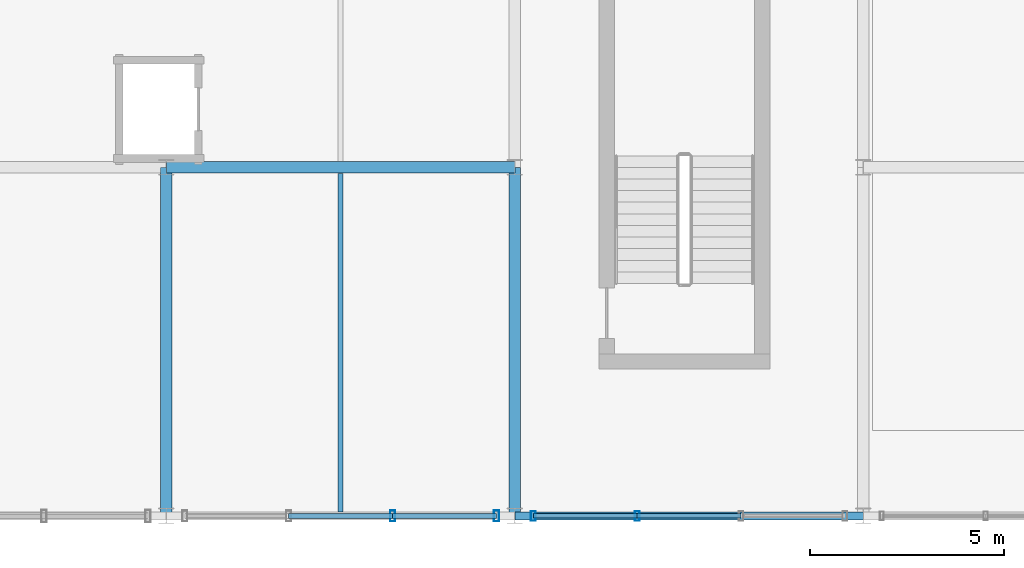
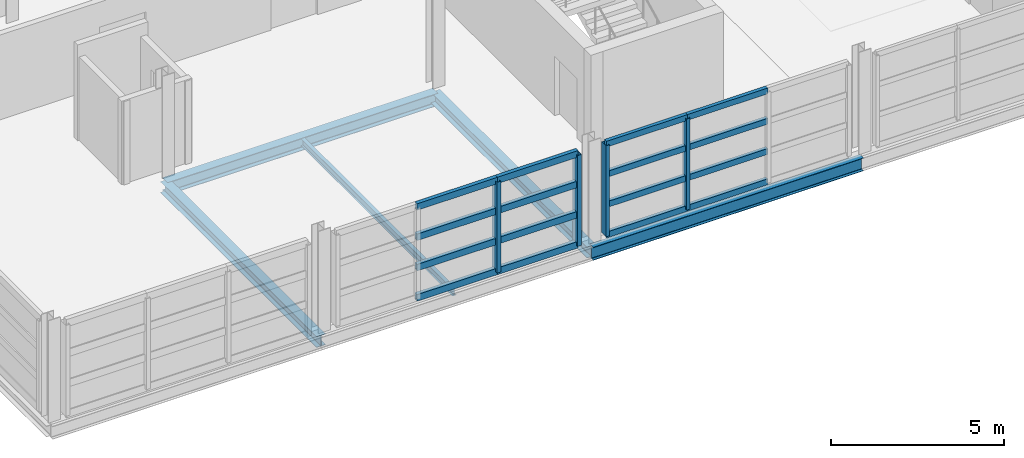
# One storey, part 58 of 116: 20 members, 5 beams, 2 elements without a shape of their own.
"""IFC4 building model written with IfcOpenShell, lengths in metres."""

from ifc_helpers import new_model, si_unit, direction, frame, origin, origin_2d, place, context, subcontext, project, spatial, hollow_rectangle, i_section, extrude, material, material_profile, profile_set, type_object, element, aggregate, save


model = new_model("IFC4")

# Units and contexts
model_context = context("Model", 3, precision=1e-05, world=origin(), true_north=direction((0.0, 1.0)))
body_context = subcontext(model_context, "Body", "Model", "MODEL_VIEW")
ifc_project = project(units=[si_unit("LENGTHUNIT", "METRE"), si_unit("AREAUNIT", "SQUARE_METRE"), si_unit("VOLUMEUNIT", "CUBIC_METRE"), si_unit("PLANEANGLEUNIT", "RADIAN"), si_unit("MASSUNIT", "GRAM", prefix="KILO")], contexts=[model_context])

# Site, building, storey
site_placement = place(None, origin())
site = spatial("IfcSite", under=ifc_project, at=site_placement, CompositionType="ELEMENT")
building_placement = place(site_placement, origin())
building = spatial("IfcBuilding", under=site, at=building_placement, Name="Chuanluo Vaults Station", CompositionType="ELEMENT")
storey_placement = place(building_placement, frame((0.0, 0.0, 10.800048828125)))
storey = spatial("IfcBuildingStorey", under=building, at=storey_placement, Name="L02", CompositionType="ELEMENT", Elevation=10.800048828125)

# Beams
ifc_material_1 = material(Name="Steel Q355C", Category="steel")
ifc_material_profile_1 = material_profile(ifc_material_1, i_section(OverallWidth=0.300048828125, OverallDepth=0.389892578125, WebThickness=0.010009765625, FlangeThickness=0.01611328125, FilletRadius=0.02001953125, at=origin_2d()))
ifc_profile_set_1 = profile_set([ifc_material_profile_1], Name="Steel Q355C")
beam_type_1 = type_object("IfcBeamType", Name="BM-GRD-400", PredefinedType="BEAM", material=ifc_profile_set_1)
for number, where, z_axis, x_axis, name in (
    (1, (145.0, 0.0, -0.43505859375), (0.0, 1.0, 0.0), (-1.0, 0.0, 0.0), "Floor girder BM:GY:L02:0641"),
    (2, (154.0, 0.0, -0.43505859375), (0.0, 1.0, 0.0), (-1.0, 0.0, 0.0), "Floor girder BM:GY:L02:0652"),
):
    element("IfcBeam", number, at=place(storey_placement, frame(where, z_axis=z_axis, x_axis=x_axis)), inside=storey, type_object=beam_type_1, Name=name, PredefinedType="BEAM", context=body_context, shape_type="SweptSolid", body=[
        extrude(i_section(OverallWidth=0.300048828125, OverallDepth=0.389892578125, WebThickness=0.010009765625, FlangeThickness=0.01611328125, FilletRadius=0.02001953125, at=origin_2d()), origin(), (0.0, 0.0, 1.0), 9.0),
    ])
ifc_material_2 = material(Name="Steel Q355C", Category="steel")
ifc_material_profile_2 = material_profile(ifc_material_2, i_section(OverallWidth=0.300048828125, OverallDepth=0.43994140625, WebThickness=0.010986328125, FlangeThickness=0.01806640625, FilletRadius=0.02001953125, at=origin_2d()))
ifc_profile_set_2 = profile_set([ifc_material_profile_2], Name="Steel Q355C")
beam_type_2 = type_object("IfcBeamType", Name="BM-GRD-450", PredefinedType="USERDEFINED", material=ifc_profile_set_2)
beam_1_placement = place(storey_placement, frame((145.0, 9.0, -0.4599609375), z_axis=(1.0, 0.0, 0.0), x_axis=(0.0, 1.0, 0.0)))
element("IfcBeam", 3, at=beam_1_placement, inside=storey, type_object=beam_type_2, Name="Floor girder BM:GX:L02:0542", ObjectType="GIRDER", PredefinedType="USERDEFINED", context=body_context, shape_type="SweptSolid", body=[
    extrude(i_section(OverallWidth=0.300048828125, OverallDepth=0.43994140625, WebThickness=0.010986328125, FlangeThickness=0.01806640625, FilletRadius=0.02001953125, at=origin_2d()), origin(), (0.0, 0.0, 1.0), 9.0),
])
ifc_material_3 = material(Name="Steel Q355C", Category="steel")
ifc_material_profile_3 = material_profile(ifc_material_3, i_section(OverallWidth=0.125, OverallDepth=0.25, WebThickness=0.006103515625, FlangeThickness=0.009033203125, FilletRadius=0.011962890625, at=origin_2d()))
ifc_profile_set_3 = profile_set([ifc_material_profile_3], Name="Steel Q355C")
beam_type_3 = type_object("IfcBeamType", Name="BM-SEC-250", PredefinedType="JOIST", material=ifc_profile_set_3)
beam_2_placement = place(storey_placement, frame((149.5, 0.107421875, -0.364990234375), z_axis=(0.0, 1.0, 0.0), x_axis=(-1.0, 0.0, 0.0)))
element("IfcBeam", 4, at=beam_2_placement, inside=storey, type_object=beam_type_3, Name="Composite secondary joist 0199", PredefinedType="JOIST", context=body_context, shape_type="SweptSolid", body=[
    extrude(i_section(OverallWidth=0.125, OverallDepth=0.25, WebThickness=0.006103515625, FlangeThickness=0.009033203125, FilletRadius=0.011962890625, at=origin_2d()), origin(), (0.0, 0.0, 1.0), 8.737548828125),
])
ifc_material_4 = material(Name="Steel Q355C", Category="steel")
ifc_material_profile_4 = material_profile(ifc_material_4, i_section(OverallWidth=0.205078125, OverallDepth=0.4599609375, WebThickness=0.009033203125, FlangeThickness=0.013916015625, FilletRadius=0.01611328125, at=origin_2d()))
ifc_profile_set_4 = profile_set([ifc_material_profile_4], Name="Steel Q355C")
beam_type_4 = type_object("IfcBeamType", Name="BM-SPN-450", PredefinedType="SPANDREL", material=ifc_profile_set_4)
beam_3_placement = place(storey_placement, frame((154.0, 0.0, -0.469970703125), z_axis=(1.0, 0.0, 0.0), x_axis=(0.0, 1.0, 0.0)))
element("IfcBeam", 5, at=beam_3_placement, inside=storey, type_object=beam_type_4, Name="Floor girder BM:GX:L02:0537", PredefinedType="SPANDREL", context=body_context, shape_type="SweptSolid", body=[
    extrude(i_section(OverallWidth=0.205078125, OverallDepth=0.4599609375, WebThickness=0.009033203125, FlangeThickness=0.013916015625, FilletRadius=0.01611328125, at=origin_2d()), origin(), (0.0, 0.0, 1.0), 9.0),
])

# Curtain wall, members
ifc_material_5 = material(Name="Anodised aluminium 6063-T6", Category="aluminium")
curtain_wall_type_1 = type_object("IfcCurtainWallType", Name="CW-SYS-27", PredefinedType="NOTDEFINED", material=ifc_material_5)
curtain_wall_1_placement = place(storey_placement, origin())
curtain_wall_1 = element("IfcCurtainWall", 6, at=curtain_wall_1_placement, inside=storey, type_object=curtain_wall_type_1, Name="Retail pavilion L02 facade CW", PredefinedType="NOTDEFINED")
ifc_material_6 = material(Name="Anodised aluminium 6063-T6", Category="aluminium")
ifc_material_profile_5 = material_profile(ifc_material_6, hollow_rectangle(XDim=0.1201171875, YDim=0.25, WallThickness=0.006103515625, at=origin_2d()))
ifc_profile_set_5 = profile_set([ifc_material_profile_5], Name="Anodised aluminium 6063-T6")
member_type_1 = type_object("IfcMemberType", Name="CWM-160", PredefinedType="MULLION", material=ifc_profile_set_5)
member_1_placement = place(storey_placement, frame((157.158203125, 0.0, 0.0), z_axis=(0.0, 0.0, 1.0), x_axis=(-1.0, 0.0, 0.0)))
member_1 = element("IfcMember", 7, at=member_1_placement, type_object=member_type_1, Name="Retail pavilion L02 facade CW mullion 3", PredefinedType="MULLION", context=body_context, shape_type="SweptSolid", body=[
    extrude(hollow_rectangle(XDim=0.1201171875, YDim=0.25, WallThickness=0.006103515625, at=origin_2d()), origin(), (0.0, 0.0, 1.0), 3.199951171875),
])
member_2_placement = place(storey_placement, frame((154.47509765625, 0.0, 0.0), z_axis=(0.0, 0.0, 1.0), x_axis=(-1.0, 0.0, 0.0)))
member_2 = element("IfcMember", 8, at=member_2_placement, type_object=member_type_1, Name="Retail pavilion L02 facade CW mullion 4", PredefinedType="MULLION", context=body_context, shape_type="SweptSolid", body=[
    extrude(hollow_rectangle(XDim=0.1201171875, YDim=0.25, WallThickness=0.006103515625, at=origin_2d()), origin(), (0.0, 0.0, 1.0), 3.199951171875),
])

ifc_material_7 = material(Name="Anodised aluminium 6063-T6", Category="aluminium")
curtain_wall_type_2 = type_object("IfcCurtainWallType", Name="CW-SYS-26", PredefinedType="NOTDEFINED", material=ifc_material_7)
curtain_wall_2_placement = place(storey_placement, origin())
curtain_wall_2 = element("IfcCurtainWall", 9, at=curtain_wall_2_placement, inside=storey, type_object=curtain_wall_type_2, Name="Retail pavilion L02 facade CW", PredefinedType="NOTDEFINED")
ifc_material_8 = material(Name="Anodised aluminium 6063-T6", Category="aluminium")
ifc_material_profile_6 = material_profile(ifc_material_8, hollow_rectangle(XDim=0.1298828125, YDim=0.280029296875, WallThickness=0.007080078125, at=origin_2d()))
ifc_profile_set_6 = profile_set([ifc_material_profile_6], Name="Anodised aluminium 6063-T6")
member_type_2 = type_object("IfcMemberType", Name="CWM-180", PredefinedType="MULLION", material=ifc_profile_set_6)
member_3_placement = place(storey_placement, frame((153.52490234375, 0.0, 0.0), z_axis=(0.0, 0.0, 1.0), x_axis=(-1.0, 0.0, 0.0)))
member_3 = element("IfcMember", 10, at=member_3_placement, type_object=member_type_2, Name="Retail pavilion L02 facade CW mullion 1", PredefinedType="MULLION", context=body_context, shape_type="SweptSolid", body=[
    extrude(hollow_rectangle(XDim=0.1298828125, YDim=0.280029296875, WallThickness=0.007080078125, at=origin_2d()), origin(), (0.0, 0.0, 1.0), 3.199951171875),
])
member_4_placement = place(storey_placement, frame((150.841796875, 0.0, 0.0), z_axis=(0.0, 0.0, 1.0), x_axis=(-1.0, 0.0, 0.0)))
member_4 = element("IfcMember", 11, at=member_4_placement, type_object=member_type_2, Name="Retail pavilion L02 facade CW mullion 2", PredefinedType="MULLION", context=body_context, shape_type="SweptSolid", body=[
    extrude(hollow_rectangle(XDim=0.1298828125, YDim=0.280029296875, WallThickness=0.007080078125, at=origin_2d()), origin(), (0.0, 0.0, 1.0), 3.199951171875),
])

# Member
ifc_material_9 = material(Name="Anodised aluminium 6063-T6", Category="aluminium")
ifc_material_profile_7 = material_profile(ifc_material_9, hollow_rectangle(XDim=0.1201171875, YDim=0.205078125, WallThickness=0.006103515625, at=origin_2d()))
ifc_profile_set_7 = profile_set([ifc_material_profile_7], Name="Anodised aluminium 6063-T6")
member_type_3 = type_object("IfcMemberType", Name="CWT-130", PredefinedType="USERDEFINED", material=ifc_profile_set_7)
member_5_placement = place(storey_placement, frame((159.841796875, 0.0, 0.0), z_axis=(-1.0, 0.0, 0.0), x_axis=(0.0, -1.0, 0.0)))
member_5 = element("IfcMember", 12, at=member_5_placement, type_object=member_type_3, Name="Retail pavilion L02 facade CW transom 2.1", ObjectType="TRANSOM", PredefinedType="USERDEFINED", context=body_context, shape_type="SweptSolid", body=[
    extrude(hollow_rectangle(XDim=0.1201171875, YDim=0.205078125, WallThickness=0.006103515625, at=origin_2d()), origin(), (0.0, 0.0, 1.0), 2.68359375),
])

member_6_placement = place(storey_placement, frame((159.841796875, 0.0, 1.066650390625), z_axis=(-1.0, 0.0, 0.0), x_axis=(0.0, -1.0, 0.0)))
member_6 = element("IfcMember", 13, at=member_6_placement, type_object=member_type_3, Name="Retail pavilion L02 facade CW transom 2.2", ObjectType="TRANSOM", PredefinedType="USERDEFINED", context=body_context, shape_type="SweptSolid", body=[
    extrude(hollow_rectangle(XDim=0.1201171875, YDim=0.205078125, WallThickness=0.006103515625, at=origin_2d()), origin(), (0.0, 0.0, 1.0), 2.68359375),
])

member_7_placement = place(storey_placement, frame((159.841796875, 0.0, 2.13330078125), z_axis=(-1.0, 0.0, 0.0), x_axis=(0.0, -1.0, 0.0)))
member_7 = element("IfcMember", 14, at=member_7_placement, type_object=member_type_3, Name="Retail pavilion L02 facade CW transom 2.3", ObjectType="TRANSOM", PredefinedType="USERDEFINED", context=body_context, shape_type="SweptSolid", body=[
    extrude(hollow_rectangle(XDim=0.1201171875, YDim=0.205078125, WallThickness=0.006103515625, at=origin_2d()), origin(), (0.0, 0.0, 1.0), 2.68359375),
])

member_8_placement = place(storey_placement, frame((159.841796875, 0.0, 3.199951171875), z_axis=(-1.0, 0.0, 0.0), x_axis=(0.0, -1.0, 0.0)))
member_8 = element("IfcMember", 15, at=member_8_placement, type_object=member_type_3, Name="Retail pavilion L02 facade CW transom 2.4", ObjectType="TRANSOM", PredefinedType="USERDEFINED", context=body_context, shape_type="SweptSolid", body=[
    extrude(hollow_rectangle(XDim=0.1201171875, YDim=0.205078125, WallThickness=0.006103515625, at=origin_2d()), origin(), (0.0, 0.0, 1.0), 2.68359375),
])

member_9_placement = place(storey_placement, frame((157.158203125, 0.0, 0.0), z_axis=(-1.0, 0.0, 0.0), x_axis=(0.0, -1.0, 0.0)))
member_9 = element("IfcMember", 16, at=member_9_placement, type_object=member_type_3, Name="Retail pavilion L02 facade CW transom 3.1", ObjectType="TRANSOM", PredefinedType="USERDEFINED", context=body_context, shape_type="SweptSolid", body=[
    extrude(hollow_rectangle(XDim=0.1201171875, YDim=0.205078125, WallThickness=0.006103515625, at=origin_2d()), origin(), (0.0, 0.0, 1.0), 2.68310546875),
])

member_10_placement = place(storey_placement, frame((157.158203125, 0.0, 1.066650390625), z_axis=(-1.0, 0.0, 0.0), x_axis=(0.0, -1.0, 0.0)))
member_10 = element("IfcMember", 17, at=member_10_placement, type_object=member_type_3, Name="Retail pavilion L02 facade CW transom 3.2", ObjectType="TRANSOM", PredefinedType="USERDEFINED", context=body_context, shape_type="SweptSolid", body=[
    extrude(hollow_rectangle(XDim=0.1201171875, YDim=0.205078125, WallThickness=0.006103515625, at=origin_2d()), origin(), (0.0, 0.0, 1.0), 2.68310546875),
])

member_11_placement = place(storey_placement, frame((157.158203125, 0.0, 2.13330078125), z_axis=(-1.0, 0.0, 0.0), x_axis=(0.0, -1.0, 0.0)))
member_11 = element("IfcMember", 18, at=member_11_placement, type_object=member_type_3, Name="Retail pavilion L02 facade CW transom 3.3", ObjectType="TRANSOM", PredefinedType="USERDEFINED", context=body_context, shape_type="SweptSolid", body=[
    extrude(hollow_rectangle(XDim=0.1201171875, YDim=0.205078125, WallThickness=0.006103515625, at=origin_2d()), origin(), (0.0, 0.0, 1.0), 2.68310546875),
])

member_12_placement = place(storey_placement, frame((157.158203125, 0.0, 3.199951171875), z_axis=(-1.0, 0.0, 0.0), x_axis=(0.0, -1.0, 0.0)))
member_12 = element("IfcMember", 19, at=member_12_placement, type_object=member_type_3, Name="Retail pavilion L02 facade CW transom 3.4", ObjectType="TRANSOM", PredefinedType="USERDEFINED", context=body_context, shape_type="SweptSolid", body=[
    extrude(hollow_rectangle(XDim=0.1201171875, YDim=0.205078125, WallThickness=0.006103515625, at=origin_2d()), origin(), (0.0, 0.0, 1.0), 2.68310546875),
])

aggregate(curtain_wall_1, [member_1, member_2, member_5, member_6, member_7, member_8, member_9, member_10, member_11, member_12])

ifc_material_10 = material(Name="Anodised aluminium 6063-T6", Category="aluminium")
ifc_material_profile_8 = material_profile(ifc_material_10, hollow_rectangle(XDim=0.1298828125, YDim=0.22998046875, WallThickness=0.006103515625, at=origin_2d()))
ifc_profile_set_8 = profile_set([ifc_material_profile_8], Name="Anodised aluminium 6063-T6")
member_type_4 = type_object("IfcMemberType", Name="CWT-150", PredefinedType="USERDEFINED", material=ifc_profile_set_8)
member_13_placement = place(storey_placement, frame((153.52490234375, 0.0, 0.0), z_axis=(-1.0, 0.0, 0.0), x_axis=(0.0, -1.0, 0.0)))
member_13 = element("IfcMember", 20, at=member_13_placement, type_object=member_type_4, Name="Retail pavilion L02 facade CW transom 1.1", ObjectType="TRANSOM", PredefinedType="USERDEFINED", context=body_context, shape_type="SweptSolid", body=[
    extrude(hollow_rectangle(XDim=0.1298828125, YDim=0.22998046875, WallThickness=0.006103515625, at=origin_2d()), origin(), (0.0, 0.0, 1.0), 2.68310546875),
])

member_14_placement = place(storey_placement, frame((153.52490234375, 0.0, 1.066650390625), z_axis=(-1.0, 0.0, 0.0), x_axis=(0.0, -1.0, 0.0)))
member_14 = element("IfcMember", 21, at=member_14_placement, type_object=member_type_4, Name="Retail pavilion L02 facade CW transom 1.2", ObjectType="TRANSOM", PredefinedType="USERDEFINED", context=body_context, shape_type="SweptSolid", body=[
    extrude(hollow_rectangle(XDim=0.1298828125, YDim=0.22998046875, WallThickness=0.006103515625, at=origin_2d()), origin(), (0.0, 0.0, 1.0), 2.68310546875),
])

member_15_placement = place(storey_placement, frame((153.52490234375, 0.0, 2.13330078125), z_axis=(-1.0, 0.0, 0.0), x_axis=(0.0, -1.0, 0.0)))
member_15 = element("IfcMember", 22, at=member_15_placement, type_object=member_type_4, Name="Retail pavilion L02 facade CW transom 1.3", ObjectType="TRANSOM", PredefinedType="USERDEFINED", context=body_context, shape_type="SweptSolid", body=[
    extrude(hollow_rectangle(XDim=0.1298828125, YDim=0.22998046875, WallThickness=0.006103515625, at=origin_2d()), origin(), (0.0, 0.0, 1.0), 2.68310546875),
])

member_16_placement = place(storey_placement, frame((153.52490234375, 0.0, 3.199951171875), z_axis=(-1.0, 0.0, 0.0), x_axis=(0.0, -1.0, 0.0)))
member_16 = element("IfcMember", 23, at=member_16_placement, type_object=member_type_4, Name="Retail pavilion L02 facade CW transom 1.4", ObjectType="TRANSOM", PredefinedType="USERDEFINED", context=body_context, shape_type="SweptSolid", body=[
    extrude(hollow_rectangle(XDim=0.1298828125, YDim=0.22998046875, WallThickness=0.006103515625, at=origin_2d()), origin(), (0.0, 0.0, 1.0), 2.68310546875),
])

member_17_placement = place(storey_placement, frame((150.841796875, 0.0, 0.0), z_axis=(-1.0, 0.0, 0.0), x_axis=(0.0, -1.0, 0.0)))
member_17 = element("IfcMember", 24, at=member_17_placement, type_object=member_type_4, Name="Retail pavilion L02 facade CW transom 2.1", ObjectType="TRANSOM", PredefinedType="USERDEFINED", context=body_context, shape_type="SweptSolid", body=[
    extrude(hollow_rectangle(XDim=0.1298828125, YDim=0.22998046875, WallThickness=0.006103515625, at=origin_2d()), origin(), (0.0, 0.0, 1.0), 2.68359375),
])

member_18_placement = place(storey_placement, frame((150.841796875, 0.0, 1.066650390625), z_axis=(-1.0, 0.0, 0.0), x_axis=(0.0, -1.0, 0.0)))
member_18 = element("IfcMember", 25, at=member_18_placement, type_object=member_type_4, Name="Retail pavilion L02 facade CW transom 2.2", ObjectType="TRANSOM", PredefinedType="USERDEFINED", context=body_context, shape_type="SweptSolid", body=[
    extrude(hollow_rectangle(XDim=0.1298828125, YDim=0.22998046875, WallThickness=0.006103515625, at=origin_2d()), origin(), (0.0, 0.0, 1.0), 2.68359375),
])

member_19_placement = place(storey_placement, frame((150.841796875, 0.0, 2.13330078125), z_axis=(-1.0, 0.0, 0.0), x_axis=(0.0, -1.0, 0.0)))
member_19 = element("IfcMember", 26, at=member_19_placement, type_object=member_type_4, Name="Retail pavilion L02 facade CW transom 2.3", ObjectType="TRANSOM", PredefinedType="USERDEFINED", context=body_context, shape_type="SweptSolid", body=[
    extrude(hollow_rectangle(XDim=0.1298828125, YDim=0.22998046875, WallThickness=0.006103515625, at=origin_2d()), origin(), (0.0, 0.0, 1.0), 2.68359375),
])

member_20_placement = place(storey_placement, frame((150.841796875, 0.0, 3.199951171875), z_axis=(-1.0, 0.0, 0.0), x_axis=(0.0, -1.0, 0.0)))
member_20 = element("IfcMember", 27, at=member_20_placement, type_object=member_type_4, Name="Retail pavilion L02 facade CW transom 2.4", ObjectType="TRANSOM", PredefinedType="USERDEFINED", context=body_context, shape_type="SweptSolid", body=[
    extrude(hollow_rectangle(XDim=0.1298828125, YDim=0.22998046875, WallThickness=0.006103515625, at=origin_2d()), origin(), (0.0, 0.0, 1.0), 2.68359375),
])

aggregate(curtain_wall_2, [member_3, member_4, member_13, member_14, member_15, member_16, member_17, member_18, member_19, member_20])

save(model, "model.ifc")
